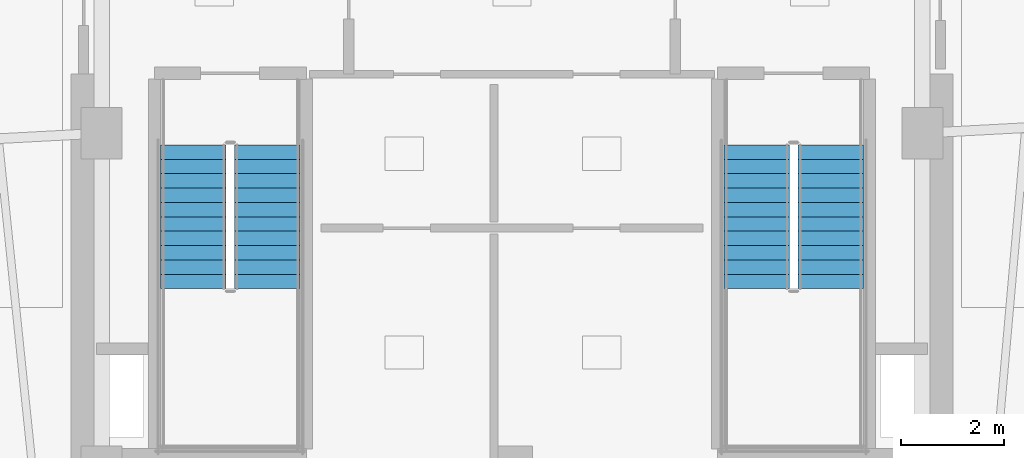
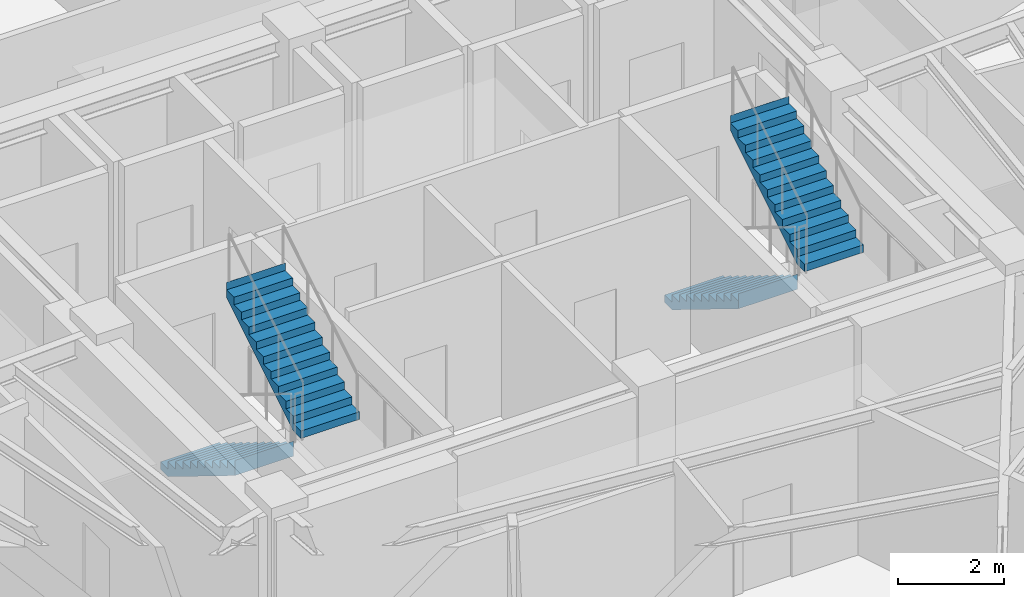
# One storey, part 10 of 13: 4 stair flights, 2 elements without a shape of their own.
"""IFC4 building model written with IfcOpenShell, lengths in metres."""

import ifcopenshell
import ifcopenshell.guid

model = None  # the IFC model being written
_history = None  # IfcOwnerHistory: only IFC2X3 demands one
_inside = {}  # id of a spatial element -> (the spatial element, [elements in it])
_under = {}  # id of a project, library or spatial element -> (it, [spatial elements below it])
_declared = {}  # id of a project -> (the project, [libraries it declares])
_typed = {}  # id of a type object -> (the type object, [elements of that type])
_made_of = {}  # id of a material, layer set ... -> (it, [elements and type objects made of it])


def new_model(schema):
    """Start an empty IFC model of exactly this schema.

    Asked for "IFC4X3", IfcOpenShell would pick the latest addendum, in which some entities
    have other attributes; the version numbers below select the first issue.
    IFC2X3 requires an IfcOwnerHistory on every rooted entity: one is made here for all.
    """
    global model, _history
    if schema == "IFC4X3":
        model = ifcopenshell.file(schema_version=(4, 3, 0, 0))
    else:
        model = ifcopenshell.file(schema=schema)
    _inside.clear()
    _under.clear()
    _declared.clear()
    _typed.clear()
    _made_of.clear()
    _history = None
    if model.schema == "IFC2X3":
        org = make("IfcOrganization", Name="unknown")
        user = make(
            "IfcPersonAndOrganization",
            ThePerson=make("IfcPerson", FamilyName="unknown"),
            TheOrganization=org,
        )
        app = make(
            "IfcApplication",
            ApplicationDeveloper=org,
            Version="unknown",
            ApplicationFullName="unknown",
            ApplicationIdentifier="unknown",
        )
        _history = make(
            "IfcOwnerHistory",
            OwningUser=user,
            OwningApplication=app,
            ChangeAction="ADDED",
            CreationDate=0,
        )
    return model


def make(cls, **values):
    """One entity of the class cls with the attributes given. An attribute that is None is left unset."""
    return model.create_entity(
        cls, **{name: value for name, value in values.items() if value is not None}
    )


def rooted(cls, **values):
    """An entity with a GlobalId (a new one), such as an element, a storey or a relation."""
    return make(cls, GlobalId=ifcopenshell.guid.new(), OwnerHistory=_history, **values)


def si_unit(unit_type, name, prefix=None):
    """IfcSIUnit, for example si_unit("LENGTHUNIT", "METRE", prefix="MILLI")."""
    return make("IfcSIUnit", UnitType=unit_type, Prefix=prefix, Name=name)


def assignment(units):
    """IfcUnitAssignment: the units of a project."""
    return None if units is None else make("IfcUnitAssignment", Units=units)


def point(xyz):
    """IfcCartesianPoint."""
    return None if xyz is None else make("IfcCartesianPoint", Coordinates=xyz)


def direction(xyz):
    """IfcDirection."""
    return None if xyz is None else make("IfcDirection", DirectionRatios=xyz)


def frame(location, z_axis=None, x_axis=None):
    """IfcAxis2Placement3D, a coordinate frame: its origin and axes. An axis left out is left unset."""
    return make(
        "IfcAxis2Placement3D",
        Location=point(location),
        Axis=direction(z_axis),
        RefDirection=direction(x_axis),
    )


def origin():
    """The frame at (0, 0, 0) with its axes left unset."""
    return frame((0.0, 0.0, 0.0))


def place(relative_to, where):
    """IfcLocalPlacement: puts the frame where relative to a parent placement (None: the world)."""
    return make(
        "IfcLocalPlacement", PlacementRelTo=relative_to, RelativePlacement=where
    )


def context(
    kind, dimensions, precision=None, world=None, true_north=None, identifier=None
):
    """IfcGeometricRepresentationContext, for example the 3D "Model" context."""
    return make(
        "IfcGeometricRepresentationContext",
        ContextIdentifier=identifier,
        ContextType=kind,
        CoordinateSpaceDimension=dimensions,
        Precision=precision,
        WorldCoordinateSystem=world,
        TrueNorth=true_north,
    )


def subcontext(parent, identifier, kind, view, scale=None):
    """IfcGeometricRepresentationSubContext, for example "Body" below "Model"."""
    return make(
        "IfcGeometricRepresentationSubContext",
        ContextIdentifier=identifier,
        ContextType=kind,
        ParentContext=parent,
        TargetScale=scale,
        TargetView=view,
    )


def project(units=None, contexts=None):
    """IfcProject with its units and contexts."""
    return rooted(
        "IfcProject",
        Name="project",
        RepresentationContexts=contexts,
        UnitsInContext=assignment(units),
    )


def spatial(cls, under=None, at=None, **own):
    """A site, building, storey or space (cls), placed at a placement, below another one or the project."""
    s = rooted(cls, ObjectPlacement=at, **own)
    if under is not None:
        _under.setdefault(under.id(), (under, []))[1].append(s)
    return s


def polyline(points):
    """IfcPolyline through the points."""
    return make("IfcPolyline", Points=[point(p) for p in points])


def outline(outer, holes=None, kind="AREA"):
    """IfcArbitraryClosedProfileDef: a profile drawn as a closed curve; with holes, ...WithVoids."""
    if holes is None:
        return make("IfcArbitraryClosedProfileDef", ProfileType=kind, OuterCurve=outer)
    return make(
        "IfcArbitraryProfileDefWithVoids",
        ProfileType=kind,
        OuterCurve=outer,
        InnerCurves=holes,
    )


def extrude(swept, where, along, depth):
    """IfcExtrudedAreaSolid: the profile swept, set in the frame where, extruded along a direction by depth."""
    return make(
        "IfcExtrudedAreaSolid",
        SweptArea=swept,
        Position=where,
        ExtrudedDirection=direction(along),
        Depth=depth,
    )


def shape(context_of_items, identifier, shape_type, items):
    """IfcShapeRepresentation: the items that make up one representation, for example the "Body"."""
    return make(
        "IfcShapeRepresentation",
        ContextOfItems=context_of_items,
        RepresentationIdentifier=identifier,
        RepresentationType=shape_type,
        Items=items,
    )


def material(Name=None, Category=None):
    """IfcMaterial."""
    return make("IfcMaterial", Name=Name, Category=Category)


def made_of(thing, what):
    """Note that an element or type object is made of a material, layer set ...; save() writes the relation."""
    if what is not None:
        _made_of.setdefault(what.id(), (what, []))[1].append(thing)
    return thing


def type_object(cls, material=None, **own):
    """A type object (cls), such as IfcWallType, which elements share."""
    return made_of(rooted(cls, **own), material)


def element(
    cls,
    number,
    at=None,
    inside=None,
    cuts=None,
    type_object=None,
    material=None,
    context=None,
    identifier="Body",
    shape_type=None,
    held_by="IfcProductDefinitionShape",
    body=None,
    shapes=None,
    **own,
):
    """One element of the class cls, such as IfcWall. Its Tag is "e" and its number.

    at: its placement. inside: the storey or other place that contains it. cuts: it is an
    opening in that element (IfcRelVoidsElement). A single representation is given by context,
    identifier, shape_type and body (its items); several are given by shapes. held_by: the class
    of the entity that holds the representations. save() writes the other relations.
    """
    e = rooted(cls, Tag="e%d" % number, ObjectPlacement=at, **own)
    if body is not None:
        shapes = [shape(context, identifier, shape_type, body)]
    if shapes is not None:
        e.Representation = make(held_by, Representations=shapes)
    if inside is not None:
        _inside.setdefault(inside.id(), (inside, []))[1].append(e)
    if cuts is not None:
        rooted(
            "IfcRelVoidsElement", RelatingBuildingElement=cuts, RelatedOpeningElement=e
        )
    if type_object is not None:
        _typed.setdefault(type_object.id(), (type_object, []))[1].append(e)
    return made_of(e, material)


def aggregate(whole, parts):
    """IfcRelAggregates: a whole, such as a stair, and the parts it consists of."""
    return rooted("IfcRelAggregates", RelatingObject=whole, RelatedObjects=parts)


def save(model, path):
    """Write the relations noted so far, then the file.

    IfcRelAggregates (storeys below a building ...), IfcRelContainedInSpatialStructure (elements
    in a storey), IfcRelDefinesByType, IfcRelAssociatesMaterial and IfcRelDeclares: one each for
    every whole, place, type object, material and project.
    """
    for whole, parts in _under.values():
        aggregate(whole, parts)
    for where, things in _inside.values():
        rooted(
            "IfcRelContainedInSpatialStructure",
            RelatedElements=things,
            RelatingStructure=where,
        )
    for kind, things in _typed.values():
        rooted("IfcRelDefinesByType", RelatedObjects=things, RelatingType=kind)
    for what, things in _made_of.values():
        rooted("IfcRelAssociatesMaterial", RelatedObjects=things, RelatingMaterial=what)
    for by, libraries in _declared.values():
        rooted("IfcRelDeclares", RelatingContext=by, RelatedDefinitions=libraries)
    model.write(path)


model = new_model("IFC4")

# Units and contexts
model_context = context("Model", 3, precision=1e-05, world=origin(), true_north=direction((0.0, 1.0)))
body_context = subcontext(model_context, "Body", "Model", "MODEL_VIEW")
ifc_project = project(units=[si_unit("LENGTHUNIT", "METRE"), si_unit("AREAUNIT", "SQUARE_METRE"), si_unit("VOLUMEUNIT", "CUBIC_METRE"), si_unit("PLANEANGLEUNIT", "RADIAN"), si_unit("MASSUNIT", "GRAM", prefix="KILO")], contexts=[model_context])

# Site, building, storey
site_placement = place(None, origin())
site = spatial("IfcSite", under=ifc_project, at=site_placement, CompositionType="ELEMENT")
building_placement = place(site_placement, origin())
building = spatial("IfcBuilding", under=site, at=building_placement, Name="Ndelora Gate Hotel", CompositionType="ELEMENT")
storey_placement = place(building_placement, frame((0.0, 0.0, 228.35009765625)))
storey = spatial("IfcBuildingStorey", under=building, at=storey_placement, Name="L57", CompositionType="ELEMENT", Elevation=228.35009765625)

# Stair, stair flights
ifc_material = material(Name="Precast concrete C40/50", Category="concrete")
stair_type = type_object("IfcStairType", Name="STR-DOG-CORE", PredefinedType="HALF_TURN_STAIR", material=ifc_material)
stair_1_placement = place(storey_placement, origin())
stair_1 = element("IfcStair", 1, at=stair_1_placement, inside=storey, type_object=stair_type, Name="L57 Protected Core Exit Stair ST4", PredefinedType="HALF_TURN_STAIR")
stair_flight_type = type_object("IfcStairFlightType", Name="STF-PRECAST", PredefinedType="STRAIGHT", material=ifc_material)
stair_flight_1_placement = place(storey_placement, frame((-6.2099609375, -0.22998046875, 0.0), z_axis=(0.0, 0.0, 1.0), x_axis=(0.0, -1.0, 0.0)))
stair_flight_1 = element("IfcStairFlight", 2, at=stair_flight_1_placement, type_object=stair_flight_type, Name="ST4 flight 1", NumberOfRisers=11, NumberOfTreads=10, PredefinedType="STRAIGHT", RiserHeight=0.172727273, TreadLength=0.28, context=body_context, shape_type="SweptSolid", body=[
    extrude(outline(polyline([(-0.00048828125, 0.0), (-0.00048828125, 0.172607421875), (0.0, 0.172607421875), (0.280029296875, 0.172607421875), (0.280029296875, 0.345458984375), (0.56005859375, 0.345458984375), (0.56005859375, 0.51806640625), (0.840087890625, 0.51806640625), (0.840087890625, 0.69091796875), (1.1201171875, 0.69091796875), (1.1201171875, 0.863525390625), (1.39990234375, 0.863525390625), (1.39990234375, 1.036376953125), (1.679931640625, 1.036376953125), (1.679931640625, 1.208984375), (1.9599609375, 1.208984375), (1.9599609375, 1.3818359375), (2.239990234375, 1.3818359375), (2.239990234375, 1.554443359375), (2.52001953125, 1.554443359375), (2.52001953125, 1.727294921875), (2.800048828125, 1.727294921875), (2.800048828125, 1.89990234375), (2.800537109375, 1.89990234375), (2.800537109375, 1.719970703125), (2.800048828125, 1.551025390625), (0.285400390625, 0.0), (-0.00048828125, 0.0)])), frame((0.0, 0.64013671875, 0.0), z_axis=(0.0, -1.0, 0.0), x_axis=(1.0, 0.0, 0.0)), (0.0, 0.0, 1.0), 1.280029296875),
])
stair_flight_2_placement = place(storey_placement, frame((-4.77001953125, -3.030029296875, 1.89990234375), z_axis=(0.0, 0.0, 1.0), x_axis=(0.0, 1.0, 0.0)))
stair_flight_2 = element("IfcStairFlight", 3, at=stair_flight_2_placement, type_object=stair_flight_type, Name="ST4 flight 2", NumberOfRisers=11, NumberOfTreads=10, PredefinedType="STRAIGHT", RiserHeight=0.172727273, TreadLength=0.28, context=body_context, shape_type="SweptSolid", body=[
    extrude(outline(polyline([(-0.00048828125, 0.0), (-0.00048828125, 0.172607421875), (0.0, 0.172607421875), (0.280029296875, 0.172607421875), (0.280029296875, 0.345458984375), (0.56005859375, 0.345458984375), (0.56005859375, 0.51806640625), (0.840087890625, 0.51806640625), (0.840087890625, 0.69091796875), (1.1201171875, 0.69091796875), (1.1201171875, 0.863525390625), (1.39990234375, 0.863525390625), (1.39990234375, 1.036376953125), (1.679931640625, 1.036376953125), (1.679931640625, 1.208984375), (1.9599609375, 1.208984375), (1.9599609375, 1.3818359375), (2.239990234375, 1.3818359375), (2.239990234375, 1.554443359375), (2.52001953125, 1.554443359375), (2.52001953125, 1.727294921875), (2.800048828125, 1.727294921875), (2.800048828125, 1.89990234375), (2.800537109375, 1.89990234375), (2.800537109375, 1.719970703125), (2.800048828125, 1.551025390625), (0.285400390625, 0.0), (-0.00048828125, 0.0)])), frame((0.0, 0.64013671875, 0.0), z_axis=(0.0, -1.0, 0.0), x_axis=(1.0, 0.0, 0.0)), (0.0, 0.0, 1.0), 1.280029296875),
])
aggregate(stair_1, [stair_flight_1, stair_flight_2])

stair_2_placement = place(storey_placement, origin())
stair_2 = element("IfcStair", 4, at=stair_2_placement, inside=storey, type_object=stair_type, Name="L57 Protected Core Exit Stair ST5", PredefinedType="HALF_TURN_STAIR")
stair_flight_3_placement = place(storey_placement, frame((4.77001953125, -0.22998046875, 0.0), z_axis=(0.0, 0.0, 1.0), x_axis=(0.0, -1.0, 0.0)))
stair_flight_3 = element("IfcStairFlight", 5, at=stair_flight_3_placement, type_object=stair_flight_type, Name="ST5 flight 1", NumberOfRisers=11, NumberOfTreads=10, PredefinedType="STRAIGHT", RiserHeight=0.172727273, TreadLength=0.28, context=body_context, shape_type="SweptSolid", body=[
    extrude(outline(polyline([(-0.00048828125, 0.0), (-0.00048828125, 0.172607421875), (0.0, 0.172607421875), (0.280029296875, 0.172607421875), (0.280029296875, 0.345458984375), (0.56005859375, 0.345458984375), (0.56005859375, 0.51806640625), (0.840087890625, 0.51806640625), (0.840087890625, 0.69091796875), (1.1201171875, 0.69091796875), (1.1201171875, 0.863525390625), (1.39990234375, 0.863525390625), (1.39990234375, 1.036376953125), (1.679931640625, 1.036376953125), (1.679931640625, 1.208984375), (1.9599609375, 1.208984375), (1.9599609375, 1.3818359375), (2.239990234375, 1.3818359375), (2.239990234375, 1.554443359375), (2.52001953125, 1.554443359375), (2.52001953125, 1.727294921875), (2.800048828125, 1.727294921875), (2.800048828125, 1.89990234375), (2.800537109375, 1.89990234375), (2.800537109375, 1.719970703125), (2.800048828125, 1.551025390625), (0.285400390625, 0.0), (-0.00048828125, 0.0)])), frame((0.0, 0.64013671875, 0.0), z_axis=(0.0, -1.0, 0.0), x_axis=(1.0, 0.0, 0.0)), (0.0, 0.0, 1.0), 1.280029296875),
])
stair_flight_4_placement = place(storey_placement, frame((6.2099609375, -3.030029296875, 1.89990234375), z_axis=(0.0, 0.0, 1.0), x_axis=(0.0, 1.0, 0.0)))
stair_flight_4 = element("IfcStairFlight", 6, at=stair_flight_4_placement, type_object=stair_flight_type, Name="ST5 flight 2", NumberOfRisers=11, NumberOfTreads=10, PredefinedType="STRAIGHT", RiserHeight=0.172727273, TreadLength=0.28, context=body_context, shape_type="SweptSolid", body=[
    extrude(outline(polyline([(-0.00048828125, 0.0), (-0.00048828125, 0.172607421875), (0.0, 0.172607421875), (0.280029296875, 0.172607421875), (0.280029296875, 0.345458984375), (0.56005859375, 0.345458984375), (0.56005859375, 0.51806640625), (0.840087890625, 0.51806640625), (0.840087890625, 0.69091796875), (1.1201171875, 0.69091796875), (1.1201171875, 0.863525390625), (1.39990234375, 0.863525390625), (1.39990234375, 1.036376953125), (1.679931640625, 1.036376953125), (1.679931640625, 1.208984375), (1.9599609375, 1.208984375), (1.9599609375, 1.3818359375), (2.239990234375, 1.3818359375), (2.239990234375, 1.554443359375), (2.52001953125, 1.554443359375), (2.52001953125, 1.727294921875), (2.800048828125, 1.727294921875), (2.800048828125, 1.89990234375), (2.800537109375, 1.89990234375), (2.800537109375, 1.719970703125), (2.800048828125, 1.551025390625), (0.285400390625, 0.0), (-0.00048828125, 0.0)])), frame((0.0, 0.64013671875, 0.0), z_axis=(0.0, -1.0, 0.0), x_axis=(1.0, 0.0, 0.0)), (0.0, 0.0, 1.0), 1.280029296875),
])
aggregate(stair_2, [stair_flight_3, stair_flight_4])

save(model, "model.ifc")
